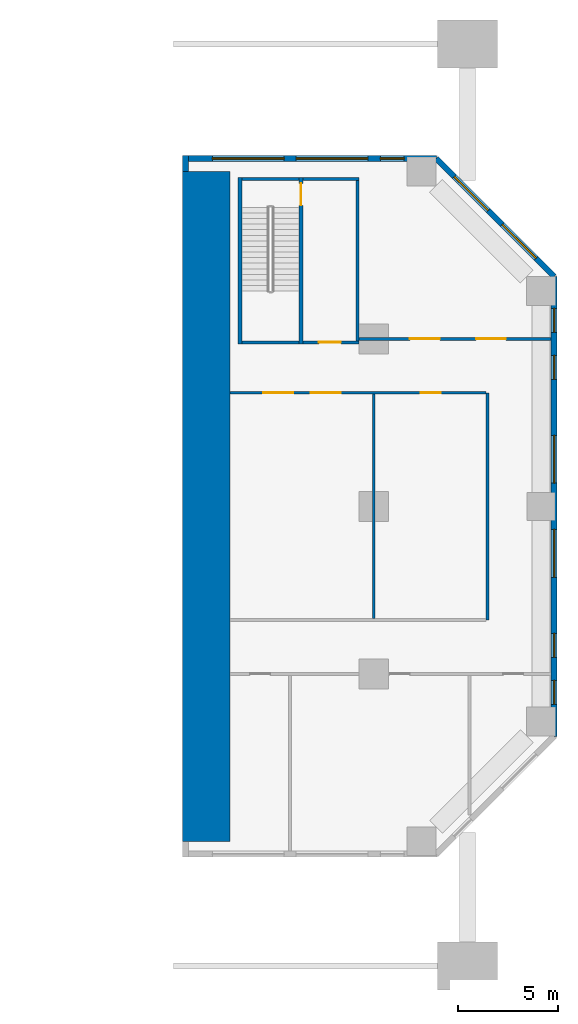
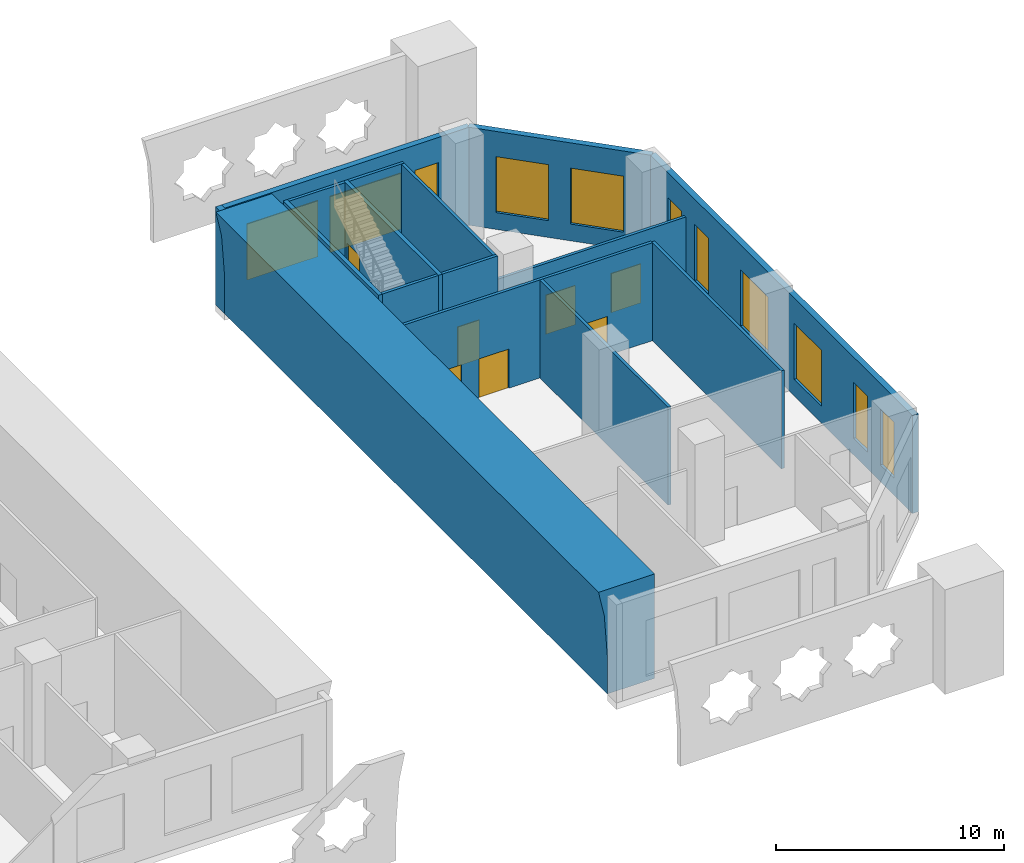
# One storey, part 10 of 17: 16 walls, 11 windows, 7 doors, 18 openings.
"""IFC4 building model written with IfcOpenShell, lengths in metres."""

from ifc_helpers import new_model, si_unit, direction, frame, frame_2d, origin, place, context, subcontext, project, spatial, polyline, rectangle, outline, extrude, material, layer, layer_set, type_object, element, fill, save


model = new_model("IFC4")

# Units and contexts
model_context = context("Model", 3, precision=1e-05, world=origin(), true_north=direction((0.0, 1.0)))
body_context = subcontext(model_context, "Body", "Model", "MODEL_VIEW")
ifc_project = project(units=[si_unit("LENGTHUNIT", "METRE"), si_unit("AREAUNIT", "SQUARE_METRE"), si_unit("VOLUMEUNIT", "CUBIC_METRE"), si_unit("PLANEANGLEUNIT", "RADIAN"), si_unit("MASSUNIT", "GRAM", prefix="KILO")], contexts=[model_context])

# Site, building, storey
site_placement = place(None, origin())
site = spatial("IfcSite", under=ifc_project, at=site_placement, CompositionType="ELEMENT")
building_placement = place(site_placement, origin())
building = spatial("IfcBuilding", under=site, at=building_placement, Name="Kawkab Arch Medical Tower", CompositionType="ELEMENT")
storey_placement = place(building_placement, frame((0.0, 0.0, 7.0)))
storey = spatial("IfcBuildingStorey", under=building, at=storey_placement, Name="L02", CompositionType="ELEMENT", Elevation=7.0)

# Walls
ifc_material_1 = material(Name="Concrete C60/75", Category="concrete")
wall_type_1 = type_object("IfcWallType", Name="Arch wall C60/75", PredefinedType="SHEAR", material=ifc_material_1)
wall_1_placement = place(storey_placement, frame((0.0, 0.0, -7.0), z_axis=(0.0, -1.0, 0.0), x_axis=(1.0, 0.0, 0.0)))
element("IfcWall", 1, at=wall_1_placement, inside=storey, type_object=wall_type_1, Name="Arch wall L02-2", PredefinedType="SHEAR", context=body_context, shape_type="SweptSolid", body=[
    extrude(outline(polyline([(74.39990234375, 7.0), (74.39990234375, 9.0), (74.240966796875, 11.256103515625), (73.952392578125, 12.60009765625), (76.800048828125, 12.60009765625), (76.800048828125, 7.0), (74.39990234375, 7.0)])), origin(), (0.0, 0.0, 1.0), 33.60009765625),
])
ifc_material_2 = material(Name="Gypsum board on steel studs", Category="steel")
ifc_layer_1 = layer(ifc_material_2, 0.14990234375)
ifc_layer_set_1 = layer_set([ifc_layer_1], Name="Gypsum board on steel studs")
wall_type_2 = type_object("IfcWallType", Name="Core room partition 150", PredefinedType="PARTITIONING", material=ifc_layer_set_1)
wall_2_placement = place(storey_placement, frame((80.449951171875, -0.375, 0.0), z_axis=(0.0, 0.0, 1.0), x_axis=(1.0, 0.0, 0.0)))
element("IfcWall", 2, at=wall_2_placement, inside=storey, type_object=wall_type_2, Name="L02 core room partition", PredefinedType="PARTITIONING", context=body_context, shape_type="SweptSolid", body=[
    extrude(rectangle(XDim=2.800048828125, YDim=0.14990234375, at=frame_2d((1.39990234375, 0.0))), origin(), (0.0, 0.0, 1.0), 5.25),
])
wall_3_placement = place(storey_placement, frame((83.175048828125, -8.5, 0.0), z_axis=(0.0, 0.0, 1.0), x_axis=(0.0, 1.0, 0.0)))
element("IfcWall", 3, at=wall_3_placement, inside=storey, type_object=wall_type_2, Name="L02 core room partition", PredefinedType="PARTITIONING", context=body_context, shape_type="SweptSolid", body=[
    extrude(rectangle(XDim=8.050048828125, YDim=0.14990234375, at=frame_2d((4.02490234375, 0.0))), origin(), (0.0, 0.0, 1.0), 5.25),
])

# Wall, openings, doors
ifc_material_3 = material(Name="Gypsum board partition on steel studs, mineral wool", Category="steel")
ifc_layer_2 = layer(ifc_material_3, 0.14990234375)
ifc_layer_set_2 = layer_set([ifc_layer_2], Name="Gypsum board partition on steel studs, mineral wool")
wall_type_3 = type_object("IfcWallType", Name="Partition 150", PredefinedType="PARTITIONING", material=ifc_layer_set_2)
wall_4_placement = place(storey_placement, frame((76.800048828125, -11.10009765625, 0.0), z_axis=(0.0, 0.0, 1.0), x_axis=(1.0, 0.0, 0.0)))
wall_4 = element("IfcWall", 4, at=wall_4_placement, inside=storey, type_object=wall_type_3, Name="Partition 150 w034", PredefinedType="PARTITIONING", context=body_context, shape_type="SweptSolid", body=[
    extrude(rectangle(XDim=12.824951171875, YDim=0.14990234375, at=frame_2d((6.41259765625, 0.0))), origin(), (0.0, 0.0, 1.0), 5.25),
])
opening_1_placement = place(wall_4_placement, frame((4.050048828125, 0.0, 0.0)))
opening_1 = element("IfcOpeningElement", 5, at=opening_1_placement, cuts=wall_4, Name="Opening P02-014", PredefinedType="OPENING", context=body_context, shape_type="SweptSolid", body=[
    extrude(rectangle(XDim=1.5, YDim=2.10009765625, at=frame_2d((0.75, 1.050048828125))), frame((0.0, 0.0849609375, 0.0), z_axis=(0.0, -1.0, 0.0), x_axis=(1.0, 0.0, 0.0)), (0.0, 0.0, 1.0), 0.169921875),
])
opening_2_placement = place(wall_4_placement, frame((1.64990234375, 0.0, 0.0)))
opening_2 = element("IfcOpeningElement", 6, at=opening_2_placement, cuts=wall_4, Name="Opening P02-015", PredefinedType="OPENING", context=body_context, shape_type="SweptSolid", body=[
    extrude(rectangle(XDim=1.5, YDim=2.10009765625, at=frame_2d((0.75, 1.050048828125))), frame((0.0, 0.0849609375, 0.0), z_axis=(0.0, -1.0, 0.0), x_axis=(1.0, 0.0, 0.0)), (0.0, 0.0, 1.0), 0.169921875),
])
opening_3_placement = place(wall_4_placement, frame((9.550048828125, 0.0, 0.0)))
opening_3 = element("IfcOpeningElement", 7, at=opening_3_placement, cuts=wall_4, Name="Opening P02-035", PredefinedType="OPENING", context=body_context, shape_type="SweptSolid", body=[
    extrude(rectangle(XDim=1.0, YDim=2.10009765625, at=frame_2d((0.5, 1.050048828125))), frame((0.0, 0.0849609375, 0.0), z_axis=(0.0, -1.0, 0.0), x_axis=(1.0, 0.0, 0.0)), (0.0, 0.0, 1.0), 0.169921875),
])
ifc_material_4 = material(Name="Hollow metal door leaf")
door_type_1 = type_object("IfcDoorType", Name="Double door 1500x2100 FD30S", OperationType="NOTDEFINED", PredefinedType="DOOR", material=ifc_material_4)
door_1_placement = place(opening_1_placement, origin())
door_1 = element("IfcDoor", 8, at=door_1_placement, inside=storey, type_object=door_type_1, Name="Door P02-014", OperationType="DOUBLE_DOOR_SINGLE_SWING", OverallHeight=2.10009765625, OverallWidth=1.5, PredefinedType="DOOR", context=body_context, shape_type="SweptSolid", body=[
    extrude(rectangle(XDim=1.5, YDim=2.10009765625, at=frame_2d((0.75, 1.050048828125))), frame((0.0, 0.02490234375, 0.0), z_axis=(0.0, -1.0, 0.0), x_axis=(1.0, 0.0, 0.0)), (0.0, 0.0, 1.0), 0.050048828125),
])
fill(opening_1, door_1)
door_2_placement = place(opening_2_placement, origin())
door_2 = element("IfcDoor", 9, at=door_2_placement, inside=storey, type_object=door_type_1, Name="Door P02-015", OperationType="DOUBLE_DOOR_SINGLE_SWING", OverallHeight=2.10009765625, OverallWidth=1.5, PredefinedType="DOOR", context=body_context, shape_type="SweptSolid", body=[
    extrude(rectangle(XDim=1.5, YDim=2.10009765625, at=frame_2d((0.75, 1.050048828125))), frame((0.0, 0.02490234375, 0.0), z_axis=(0.0, -1.0, 0.0), x_axis=(1.0, 0.0, 0.0)), (0.0, 0.0, 1.0), 0.050048828125),
])
fill(opening_2, door_2)
ifc_material_5 = material(Name="Hollow metal door leaf")
door_type_2 = type_object("IfcDoorType", Name="Single door 1000x2100 FD30S", OperationType="NOTDEFINED", PredefinedType="DOOR", material=ifc_material_5)
door_3_placement = place(opening_3_placement, origin())
door_3 = element("IfcDoor", 10, at=door_3_placement, inside=storey, type_object=door_type_2, Name="Door P02-035", OperationType="SINGLE_SWING_LEFT", OverallHeight=2.10009765625, OverallWidth=1.0, PredefinedType="DOOR", context=body_context, shape_type="SweptSolid", body=[
    extrude(rectangle(XDim=1.0, YDim=2.10009765625, at=frame_2d((0.5, 1.050048828125))), frame((0.0, 0.02490234375, 0.0), z_axis=(0.0, -1.0, 0.0), x_axis=(1.0, 0.0, 0.0)), (0.0, 0.0, 1.0), 0.050048828125),
])
fill(opening_3, door_3)

wall_5_placement = place(storey_placement, frame((83.25, -8.39990234375, 0.0), z_axis=(0.0, 0.0, 1.0), x_axis=(1.0, 0.0, 0.0)))
wall_5 = element("IfcWall", 11, at=wall_5_placement, inside=storey, type_object=wall_type_3, Name="Partition 150 w038", PredefinedType="PARTITIONING", context=body_context, shape_type="SweptSolid", body=[
    extrude(rectangle(XDim=9.6298828125, YDim=0.14990234375, at=frame_2d((4.81494140625, 0.0))), origin(), (0.0, 0.0, 1.0), 3.85009765625),
])
opening_4_placement = place(wall_5_placement, frame((2.56689453125, 0.0, 0.0)))
opening_4 = element("IfcOpeningElement", 12, at=opening_4_placement, cuts=wall_5, Name="Opening P02-006", PredefinedType="OPENING", context=body_context, shape_type="SweptSolid", body=[
    extrude(rectangle(XDim=1.5, YDim=2.10009765625, at=frame_2d((0.75, 1.050048828125))), frame((0.0, 0.0849609375, 0.0), z_axis=(0.0, -1.0, 0.0), x_axis=(1.0, 0.0, 0.0)), (0.0, 0.0, 1.0), 0.169921875),
])
opening_5_placement = place(wall_5_placement, frame((5.883056640625, 0.0, 0.0)))
opening_5 = element("IfcOpeningElement", 13, at=opening_5_placement, cuts=wall_5, Name="Opening P02-007", PredefinedType="OPENING", context=body_context, shape_type="SweptSolid", body=[
    extrude(rectangle(XDim=1.5, YDim=2.10009765625, at=frame_2d((0.75, 1.050048828125))), frame((0.0, 0.0849609375, 0.0), z_axis=(0.0, -1.0, 0.0), x_axis=(1.0, 0.0, 0.0)), (0.0, 0.0, 1.0), 0.169921875),
])
door_4_placement = place(opening_4_placement, origin())
door_4 = element("IfcDoor", 14, at=door_4_placement, inside=storey, type_object=door_type_1, Name="Door P02-006", OperationType="DOUBLE_DOOR_SINGLE_SWING", OverallHeight=2.10009765625, OverallWidth=1.5, PredefinedType="DOOR", context=body_context, shape_type="SweptSolid", body=[
    extrude(rectangle(XDim=1.5, YDim=2.10009765625, at=frame_2d((0.75, 1.050048828125))), frame((0.0, 0.02490234375, 0.0), z_axis=(0.0, -1.0, 0.0), x_axis=(1.0, 0.0, 0.0)), (0.0, 0.0, 1.0), 0.050048828125),
])
fill(opening_4, door_4)
door_5_placement = place(opening_5_placement, origin())
door_5 = element("IfcDoor", 15, at=door_5_placement, inside=storey, type_object=door_type_1, Name="Door P02-007", OperationType="DOUBLE_DOOR_SINGLE_SWING", OverallHeight=2.10009765625, OverallWidth=1.5, PredefinedType="DOOR", context=body_context, shape_type="SweptSolid", body=[
    extrude(rectangle(XDim=1.5, YDim=2.10009765625, at=frame_2d((0.75, 1.050048828125))), frame((0.0, 0.02490234375, 0.0), z_axis=(0.0, -1.0, 0.0), x_axis=(1.0, 0.0, 0.0)), (0.0, 0.0, 1.0), 0.050048828125),
])
fill(opening_5, door_5)

# Walls
wall_6_placement = place(storey_placement, frame((84.0, -22.425048828125, 0.0), z_axis=(0.0, 0.0, 1.0), x_axis=(0.0, 1.0, 0.0)))
element("IfcWall", 16, at=wall_6_placement, inside=storey, type_object=wall_type_3, Name="Partition 150 w071", PredefinedType="PARTITIONING", context=body_context, shape_type="SweptSolid", body=[
    extrude(rectangle(XDim=11.25, YDim=0.14990234375, at=frame_2d((5.625, 0.0))), origin(), (0.0, 0.0, 1.0), 5.25),
])
wall_7_placement = place(storey_placement, frame((89.699951171875, -22.5, 0.0), z_axis=(0.0, 0.0, 1.0), x_axis=(0.0, 1.0, 0.0)))
element("IfcWall", 17, at=wall_7_placement, inside=storey, type_object=wall_type_3, Name="Partition 150 w073", PredefinedType="PARTITIONING", context=body_context, shape_type="SweptSolid", body=[
    extrude(rectangle(XDim=11.39990234375, YDim=0.14990234375, at=frame_2d((5.699951171875, 0.0))), origin(), (0.0, 0.0, 1.0), 5.25),
])

# Wall, openings, windows
ifc_material_6 = material(Name="Bronze clad insulated wall panel")
ifc_layer_3 = layer(ifc_material_6, 0.300048828125)
ifc_layer_set_3 = layer_set([ifc_layer_3], Name="Bronze clad insulated wall panel")
wall_type_4 = type_object("IfcWallType", Name="Podium external wall 300", PredefinedType="SOLIDWALL", material=ifc_layer_set_3)
wall_8_placement = place(storey_placement, frame((93.050048828125, -28.337890625, 0.0), z_axis=(0.0, 0.0, 1.0), x_axis=(0.0, 1.0, 0.0)))
wall_8 = element("IfcWall", 18, at=wall_8_placement, inside=storey, type_object=wall_type_4, Name="Podium external wall L02 R11", PredefinedType="SOLIDWALL", context=body_context, shape_type="SweptSolid", body=[
    extrude(rectangle(XDim=23.07568359375, YDim=0.300048828125, at=frame_2d((11.537841796875, 0.0))), origin(), (0.0, 0.0, 1.0), 5.25),
])
opening_6_placement = place(wall_8_placement, frame((1.6103515625, 0.0, 0.89990234375)))
opening_6 = element("IfcOpeningElement", 19, at=opening_6_placement, cuts=wall_8, Name="Opening PBW120-30-S9", PredefinedType="OPENING", context=body_context, shape_type="SweptSolid", body=[
    extrude(rectangle(XDim=1.199951171875, YDim=3.0, at=frame_2d((0.60009765625, 1.5))), frame((0.0, 0.159912109375, 0.0), z_axis=(0.0, -1.0, 0.0), x_axis=(1.0, 0.0, 0.0)), (0.0, 0.0, 1.0), 0.320068359375),
])
opening_7_placement = place(wall_8_placement, frame((3.962890625, 0.0, 0.89990234375)))
opening_7 = element("IfcOpeningElement", 20, at=opening_7_placement, cuts=wall_8, Name="Opening PBW120-30-S9", PredefinedType="OPENING", context=body_context, shape_type="SweptSolid", body=[
    extrude(rectangle(XDim=1.199951171875, YDim=3.0, at=frame_2d((0.60009765625, 1.5))), frame((0.0, 0.159912109375, 0.0), z_axis=(0.0, -1.0, 0.0), x_axis=(1.0, 0.0, 0.0)), (0.0, 0.0, 1.0), 0.320068359375),
])
opening_8_placement = place(wall_8_placement, frame((7.977783203125, 0.0, 0.89990234375)))
opening_8 = element("IfcOpeningElement", 21, at=opening_8_placement, cuts=wall_8, Name="Opening PBW240-30-S9", PredefinedType="OPENING", context=body_context, shape_type="SweptSolid", body=[
    extrude(rectangle(XDim=2.39990234375, YDim=3.0, at=frame_2d((1.199951171875, 1.5))), frame((0.0, 0.159912109375, 0.0), z_axis=(0.0, -1.0, 0.0), x_axis=(1.0, 0.0, 0.0)), (0.0, 0.0, 1.0), 0.320068359375),
])
opening_9_placement = place(wall_8_placement, frame((12.697998046875, 0.0, 0.89990234375)))
opening_9 = element("IfcOpeningElement", 22, at=opening_9_placement, cuts=wall_8, Name="Opening PBW240-30-S9", PredefinedType="OPENING", context=body_context, shape_type="SweptSolid", body=[
    extrude(rectangle(XDim=2.39990234375, YDim=3.0, at=frame_2d((1.199951171875, 1.5))), frame((0.0, 0.159912109375, 0.0), z_axis=(0.0, -1.0, 0.0), x_axis=(1.0, 0.0, 0.0)), (0.0, 0.0, 1.0), 0.320068359375),
])
opening_10_placement = place(wall_8_placement, frame((17.912841796875, 0.0, 0.89990234375)))
opening_10 = element("IfcOpeningElement", 23, at=opening_10_placement, cuts=wall_8, Name="Opening PBW120-30-S9", PredefinedType="OPENING", context=body_context, shape_type="SweptSolid", body=[
    extrude(rectangle(XDim=1.199951171875, YDim=3.0, at=frame_2d((0.60009765625, 1.5))), frame((0.0, 0.159912109375, 0.0), z_axis=(0.0, -1.0, 0.0), x_axis=(1.0, 0.0, 0.0)), (0.0, 0.0, 1.0), 0.320068359375),
])
opening_11_placement = place(wall_8_placement, frame((20.265380859375, 0.0, 0.89990234375)))
opening_11 = element("IfcOpeningElement", 24, at=opening_11_placement, cuts=wall_8, Name="Opening PBW120-30-S9", PredefinedType="OPENING", context=body_context, shape_type="SweptSolid", body=[
    extrude(rectangle(XDim=1.199951171875, YDim=3.0, at=frame_2d((0.60009765625, 1.5))), frame((0.0, 0.159912109375, 0.0), z_axis=(0.0, -1.0, 0.0), x_axis=(1.0, 0.0, 0.0)), (0.0, 0.0, 1.0), 0.320068359375),
])
ifc_material_7 = material(Name="Bronze anodised aluminium louvred window", Category="aluminium")
window_type_1 = type_object("IfcWindowType", Name="Podium band window 1200 x 3000 sill 900", PartitioningType="DOUBLE_PANEL_VERTICAL", PredefinedType="WINDOW", material=ifc_material_7)
window_1_placement = place(opening_6_placement, origin())
window_1 = element("IfcWindow", 25, at=window_1_placement, inside=storey, type_object=window_type_1, Name="Band window L02 R11.1", OverallHeight=3.0, OverallWidth=1.199951171875, PartitioningType="SINGLE_PANEL", PredefinedType="WINDOW", context=body_context, shape_type="SweptSolid", body=[
    extrude(rectangle(XDim=1.199951171875, YDim=3.0, at=frame_2d((0.60009765625, 1.5))), frame((0.0, 0.030029296875, 0.0), z_axis=(0.0, -1.0, 0.0), x_axis=(1.0, 0.0, 0.0)), (0.0, 0.0, 1.0), 0.06005859375),
])
fill(opening_6, window_1)
window_2_placement = place(opening_7_placement, origin())
window_2 = element("IfcWindow", 26, at=window_2_placement, inside=storey, type_object=window_type_1, Name="Band window L02 R11.2", OverallHeight=3.0, OverallWidth=1.199951171875, PartitioningType="SINGLE_PANEL", PredefinedType="WINDOW", context=body_context, shape_type="SweptSolid", body=[
    extrude(rectangle(XDim=1.199951171875, YDim=3.0, at=frame_2d((0.60009765625, 1.5))), frame((0.0, 0.030029296875, 0.0), z_axis=(0.0, -1.0, 0.0), x_axis=(1.0, 0.0, 0.0)), (0.0, 0.0, 1.0), 0.06005859375),
])
fill(opening_7, window_2)
window_3_placement = place(opening_10_placement, origin())
window_3 = element("IfcWindow", 27, at=window_3_placement, inside=storey, type_object=window_type_1, Name="Band window L02 R11.5", OverallHeight=3.0, OverallWidth=1.199951171875, PartitioningType="SINGLE_PANEL", PredefinedType="WINDOW", context=body_context, shape_type="SweptSolid", body=[
    extrude(rectangle(XDim=1.199951171875, YDim=3.0, at=frame_2d((0.60009765625, 1.5))), frame((0.0, 0.030029296875, 0.0), z_axis=(0.0, -1.0, 0.0), x_axis=(1.0, 0.0, 0.0)), (0.0, 0.0, 1.0), 0.06005859375),
])
fill(opening_10, window_3)
window_4_placement = place(opening_11_placement, origin())
window_4 = element("IfcWindow", 28, at=window_4_placement, inside=storey, type_object=window_type_1, Name="Band window L02 R11.6", OverallHeight=3.0, OverallWidth=1.199951171875, PartitioningType="SINGLE_PANEL", PredefinedType="WINDOW", context=body_context, shape_type="SweptSolid", body=[
    extrude(rectangle(XDim=1.199951171875, YDim=3.0, at=frame_2d((0.60009765625, 1.5))), frame((0.0, 0.030029296875, 0.0), z_axis=(0.0, -1.0, 0.0), x_axis=(1.0, 0.0, 0.0)), (0.0, 0.0, 1.0), 0.06005859375),
])
fill(opening_11, window_4)
ifc_material_8 = material(Name="Bronze anodised aluminium louvred window", Category="aluminium")
window_type_2 = type_object("IfcWindowType", Name="Podium band window 2400 x 3000 sill 900", PartitioningType="DOUBLE_PANEL_VERTICAL", PredefinedType="WINDOW", material=ifc_material_8)
window_5_placement = place(opening_8_placement, origin())
window_5 = element("IfcWindow", 29, at=window_5_placement, inside=storey, type_object=window_type_2, Name="Band window L02 R11.3", OverallHeight=3.0, OverallWidth=2.39990234375, PartitioningType="SINGLE_PANEL", PredefinedType="WINDOW", context=body_context, shape_type="SweptSolid", body=[
    extrude(rectangle(XDim=2.39990234375, YDim=3.0, at=frame_2d((1.199951171875, 1.5))), frame((0.0, 0.030029296875, 0.0), z_axis=(0.0, -1.0, 0.0), x_axis=(1.0, 0.0, 0.0)), (0.0, 0.0, 1.0), 0.06005859375),
])
fill(opening_8, window_5)
window_6_placement = place(opening_9_placement, origin())
window_6 = element("IfcWindow", 30, at=window_6_placement, inside=storey, type_object=window_type_2, Name="Band window L02 R11.4", OverallHeight=3.0, OverallWidth=2.39990234375, PartitioningType="SINGLE_PANEL", PredefinedType="WINDOW", context=body_context, shape_type="SweptSolid", body=[
    extrude(rectangle(XDim=2.39990234375, YDim=3.0, at=frame_2d((1.199951171875, 1.5))), frame((0.0, 0.030029296875, 0.0), z_axis=(0.0, -1.0, 0.0), x_axis=(1.0, 0.0, 0.0)), (0.0, 0.0, 1.0), 0.06005859375),
])
fill(opening_9, window_6)

wall_9_placement = place(storey_placement, frame((93.050048828125, -5.26220703125, 0.0), z_axis=(0.0, 0.0, 1.0), x_axis=(-0.707106781187, 0.707106781187, 0.0)))
wall_9 = element("IfcWall", 31, at=wall_9_placement, inside=storey, type_object=wall_type_4, Name="Podium external wall L02 R12", PredefinedType="SOLIDWALL", context=body_context, shape_type="SweptSolid", body=[
    extrude(rectangle(XDim=8.361083984375, YDim=0.300048828125, at=frame_2d((4.1806640625, 0.0))), origin(), (0.0, 0.0, 1.0), 5.25),
])
opening_12_placement = place(wall_9_placement, frame((1.28173828125, 0.0, 0.89990234375)))
opening_12 = element("IfcOpeningElement", 32, at=opening_12_placement, cuts=wall_9, Name="Opening PBW240-30-S9", PredefinedType="OPENING", context=body_context, shape_type="SweptSolid", body=[
    extrude(rectangle(XDim=2.39990234375, YDim=3.0, at=frame_2d((1.199951171875, 1.5))), frame((0.0, 0.159912109375, 0.0), z_axis=(0.0, -1.0, 0.0), x_axis=(1.0, 0.0, 0.0)), (0.0, 0.0, 1.0), 0.320068359375),
])
opening_13_placement = place(wall_9_placement, frame((4.67919921875, 0.0, 0.89990234375)))
opening_13 = element("IfcOpeningElement", 33, at=opening_13_placement, cuts=wall_9, Name="Opening PBW240-30-S9", PredefinedType="OPENING", context=body_context, shape_type="SweptSolid", body=[
    extrude(rectangle(XDim=2.39990234375, YDim=3.0, at=frame_2d((1.199951171875, 1.5))), frame((0.0, 0.159912109375, 0.0), z_axis=(0.0, -1.0, 0.0), x_axis=(1.0, 0.0, 0.0)), (0.0, 0.0, 1.0), 0.320068359375),
])
window_7_placement = place(opening_12_placement, origin())
window_7 = element("IfcWindow", 34, at=window_7_placement, inside=storey, type_object=window_type_2, Name="Band window L02 R12.1", OverallHeight=3.0, OverallWidth=2.39990234375, PartitioningType="SINGLE_PANEL", PredefinedType="WINDOW", context=body_context, shape_type="SweptSolid", body=[
    extrude(rectangle(XDim=2.39990234375, YDim=3.0, at=frame_2d((1.199951171875, 1.5))), frame((0.0, 0.030029296875, 0.0), z_axis=(0.0, -1.0, 0.0), x_axis=(1.0, 0.0, 0.0)), (0.0, 0.0, 1.0), 0.06005859375),
])
fill(opening_12, window_7)
window_8_placement = place(opening_13_placement, origin())
window_8 = element("IfcWindow", 35, at=window_8_placement, inside=storey, type_object=window_type_2, Name="Band window L02 R12.2", OverallHeight=3.0, OverallWidth=2.39990234375, PartitioningType="SINGLE_PANEL", PredefinedType="WINDOW", context=body_context, shape_type="SweptSolid", body=[
    extrude(rectangle(XDim=2.39990234375, YDim=3.0, at=frame_2d((1.199951171875, 1.5))), frame((0.0, 0.030029296875, 0.0), z_axis=(0.0, -1.0, 0.0), x_axis=(1.0, 0.0, 0.0)), (0.0, 0.0, 1.0), 0.06005859375),
])
fill(opening_13, window_8)

wall_10_placement = place(storey_placement, frame((87.137939453125, 0.64990234375, 0.0), z_axis=(0.0, 0.0, 1.0), x_axis=(-1.0, 0.0, 0.0)))
wall_10 = element("IfcWall", 36, at=wall_10_placement, inside=storey, type_object=wall_type_4, Name="Podium external wall L02 R13", PredefinedType="SOLIDWALL", context=body_context, shape_type="SweptSolid", body=[
    extrude(rectangle(XDim=12.587890625, YDim=0.300048828125, at=frame_2d((6.2939453125, 0.0))), origin(), (0.0, 0.0, 1.0), 5.25),
])
opening_14_placement = place(wall_10_placement, frame((1.6103515625, 0.0, 0.89990234375)))
opening_14 = element("IfcOpeningElement", 37, at=opening_14_placement, cuts=wall_10, Name="Opening PBW120-30-S9", PredefinedType="OPENING", context=body_context, shape_type="SweptSolid", body=[
    extrude(rectangle(XDim=1.199951171875, YDim=3.0, at=frame_2d((0.60009765625, 1.5))), frame((0.0, 0.159912109375, 0.0), z_axis=(0.0, -1.0, 0.0), x_axis=(1.0, 0.0, 0.0)), (0.0, 0.0, 1.0), 0.320068359375),
])
opening_15_placement = place(wall_10_placement, frame((3.43798828125, 0.0, 0.89990234375)))
opening_15 = element("IfcOpeningElement", 38, at=opening_15_placement, cuts=wall_10, Name="Opening PBW360-30-S9", PredefinedType="OPENING", context=body_context, shape_type="SweptSolid", body=[
    extrude(rectangle(XDim=3.60009765625, YDim=3.0, at=frame_2d((1.800048828125, 1.5))), frame((0.0, 0.159912109375, 0.0), z_axis=(0.0, -1.0, 0.0), x_axis=(1.0, 0.0, 0.0)), (0.0, 0.0, 1.0), 0.320068359375),
])
opening_16_placement = place(wall_10_placement, frame((7.637939453125, 0.0, 0.89990234375)))
opening_16 = element("IfcOpeningElement", 39, at=opening_16_placement, cuts=wall_10, Name="Opening PBW360-30-S9", PredefinedType="OPENING", context=body_context, shape_type="SweptSolid", body=[
    extrude(rectangle(XDim=3.60009765625, YDim=3.0, at=frame_2d((1.800048828125, 1.5))), frame((0.0, 0.159912109375, 0.0), z_axis=(0.0, -1.0, 0.0), x_axis=(1.0, 0.0, 0.0)), (0.0, 0.0, 1.0), 0.320068359375),
])
window_9_placement = place(opening_14_placement, origin())
window_9 = element("IfcWindow", 40, at=window_9_placement, inside=storey, type_object=window_type_1, Name="Band window L02 R13.1", OverallHeight=3.0, OverallWidth=1.199951171875, PartitioningType="SINGLE_PANEL", PredefinedType="WINDOW", context=body_context, shape_type="SweptSolid", body=[
    extrude(rectangle(XDim=1.199951171875, YDim=3.0, at=frame_2d((0.60009765625, 1.5))), frame((0.0, 0.030029296875, 0.0), z_axis=(0.0, -1.0, 0.0), x_axis=(1.0, 0.0, 0.0)), (0.0, 0.0, 1.0), 0.06005859375),
])
fill(opening_14, window_9)
ifc_material_9 = material(Name="Bronze anodised aluminium louvred window", Category="aluminium")
window_type_3 = type_object("IfcWindowType", Name="Podium band window 3600 x 3000 sill 900", PartitioningType="DOUBLE_PANEL_VERTICAL", PredefinedType="WINDOW", material=ifc_material_9)
window_10_placement = place(opening_15_placement, origin())
window_10 = element("IfcWindow", 41, at=window_10_placement, inside=storey, type_object=window_type_3, Name="Band window L02 R13.2", OverallHeight=3.0, OverallWidth=3.60009765625, PartitioningType="SINGLE_PANEL", PredefinedType="WINDOW", context=body_context, shape_type="SweptSolid", body=[
    extrude(rectangle(XDim=3.60009765625, YDim=3.0, at=frame_2d((1.800048828125, 1.5))), frame((0.0, 0.030029296875, 0.0), z_axis=(0.0, -1.0, 0.0), x_axis=(1.0, 0.0, 0.0)), (0.0, 0.0, 1.0), 0.06005859375),
])
fill(opening_15, window_10)
window_11_placement = place(opening_16_placement, origin())
window_11 = element("IfcWindow", 42, at=window_11_placement, inside=storey, type_object=window_type_3, Name="Band window L02 R13.3", OverallHeight=3.0, OverallWidth=3.60009765625, PartitioningType="SINGLE_PANEL", PredefinedType="WINDOW", context=body_context, shape_type="SweptSolid", body=[
    extrude(rectangle(XDim=3.60009765625, YDim=3.0, at=frame_2d((1.800048828125, 1.5))), frame((0.0, 0.030029296875, 0.0), z_axis=(0.0, -1.0, 0.0), x_axis=(1.0, 0.0, 0.0)), (0.0, 0.0, 1.0), 0.06005859375),
])
fill(opening_16, window_11)

# Walls
wall_11_placement = place(storey_placement, frame((74.550048828125, 0.800048828125, 0.0), z_axis=(0.0, 0.0, 1.0), x_axis=(0.0, -1.0, 0.0)))
element("IfcWall", 43, at=wall_11_placement, inside=storey, type_object=wall_type_4, Name="Podium slot-side wall L02 R14.2", PredefinedType="SOLIDWALL", context=body_context, shape_type="SweptSolid", body=[
    extrude(rectangle(XDim=0.800048828125, YDim=0.300048828125, at=frame_2d((0.39990234375, 0.0))), origin(), (0.0, 0.0, 1.0), 5.25),
])
ifc_material_10 = material(Name="Concrete C50/60", Category="concrete")
ifc_layer_4 = layer(ifc_material_10, 0.14990234375)
ifc_layer_set_4 = layer_set([ifc_layer_4], Name="Concrete C50/60")
wall_type_5 = type_object("IfcWallType", Name="Stair enclosure wall 150 C50/60", PredefinedType="SHEAR", material=ifc_layer_set_4)
for number, where, z_axis, x_axis, name in (
    (44, (77.39990234375, -0.375, 0.0), (0.0, 0.0, 1.0), (1.0, 0.0, 0.0), "L02 stair enclosure wall"),
    (45, (77.39990234375, -8.574951171875, 0.0), (0.0, 0.0, 1.0), (1.0, 0.0, 0.0), "L02 stair enclosure wall"),
):
    element("IfcWall", number, at=place(storey_placement, frame(where, z_axis=z_axis, x_axis=x_axis)), inside=storey, type_object=wall_type_5, Name=name, PredefinedType="SHEAR", context=body_context, shape_type="SweptSolid", body=[
        extrude(rectangle(XDim=2.85009765625, YDim=0.14990234375, at=frame_2d((1.425048828125, 0.0))), origin(), (0.0, 0.0, 1.0), 5.25),
    ])

# Wall, opening, door
wall_12_placement = place(storey_placement, frame((80.449951171875, -8.574951171875, 0.0), z_axis=(0.0, 0.0, 1.0), x_axis=(1.0, 0.0, 0.0)))
wall_12 = element("IfcWall", 46, at=wall_12_placement, inside=storey, type_object=wall_type_5, Name="L02 stair enclosure wall", PredefinedType="SHEAR", context=body_context, shape_type="SweptSolid", body=[
    extrude(rectangle(XDim=2.800048828125, YDim=0.14990234375, at=frame_2d((1.39990234375, 0.0))), origin(), (0.0, 0.0, 1.0), 5.25),
])
opening_17_placement = place(wall_12_placement, frame((0.800048828125, 0.0, 0.0)))
opening_17 = element("IfcOpeningElement", 47, at=opening_17_placement, cuts=wall_12, Name="Opening SD", PredefinedType="OPENING", context=body_context, shape_type="SweptSolid", body=[
    extrude(rectangle(XDim=1.10009765625, YDim=2.10009765625, at=frame_2d((0.550048828125, 1.050048828125))), frame((0.0, 0.0849609375, 0.0), z_axis=(0.0, -1.0, 0.0), x_axis=(1.0, 0.0, 0.0)), (0.0, 0.0, 1.0), 0.169921875),
])
ifc_material_11 = material(Name="Hollow metal fire door leaf")
door_type_3 = type_object("IfcDoorType", Name="Exit stair door 1100", OperationType="SINGLE_SWING_LEFT", PredefinedType="DOOR", material=ifc_material_11)
door_6_placement = place(opening_17_placement, origin())
door_6 = element("IfcDoor", 48, at=door_6_placement, inside=storey, type_object=door_type_3, Name="L02 Exit stair ST7 lobby door", OperationType="SINGLE_SWING_LEFT", OverallHeight=2.10009765625, OverallWidth=1.10009765625, PredefinedType="DOOR", context=body_context, shape_type="SweptSolid", body=[
    extrude(rectangle(XDim=1.10009765625, YDim=2.10009765625, at=frame_2d((0.550048828125, 1.050048828125))), frame((0.0, 0.02490234375, 0.0), z_axis=(0.0, -1.0, 0.0), x_axis=(1.0, 0.0, 0.0)), (0.0, 0.0, 1.0), 0.050048828125),
])
fill(opening_17, door_6)

# Wall
ifc_material_12 = material(Name="Concrete C50/60", Category="concrete")
ifc_layer_5 = layer(ifc_material_12, 0.199951171875)
ifc_layer_set_5 = layer_set([ifc_layer_5], Name="Concrete C50/60")
wall_type_6 = type_object("IfcWallType", Name="Stair enclosure wall 200 C50/60", PredefinedType="SHEAR", material=ifc_layer_set_5)
wall_13_placement = place(storey_placement, frame((77.300048828125, -8.64990234375, 0.0), z_axis=(0.0, 0.0, 1.0), x_axis=(0.0, 1.0, 0.0)))
element("IfcWall", 49, at=wall_13_placement, inside=storey, type_object=wall_type_6, Name="L02 stair enclosure wall", PredefinedType="SHEAR", context=body_context, shape_type="SweptSolid", body=[
    extrude(rectangle(XDim=8.349853515625, YDim=0.199951171875, at=frame_2d((4.1748046875, 0.0))), origin(), (0.0, 0.0, 1.0), 5.25),
])

# Wall, opening, door
wall_14_placement = place(storey_placement, frame((80.35009765625, -8.64990234375, 0.0), z_axis=(0.0, 0.0, 1.0), x_axis=(0.0, 1.0, 0.0)))
wall_14 = element("IfcWall", 50, at=wall_14_placement, inside=storey, type_object=wall_type_6, Name="L02 stair enclosure wall", PredefinedType="SHEAR", context=body_context, shape_type="SweptSolid", body=[
    extrude(rectangle(XDim=8.349853515625, YDim=0.199951171875, at=frame_2d((4.1748046875, 0.0))), origin(), (0.0, 0.0, 1.0), 5.25),
])
opening_18_placement = place(wall_14_placement, frame((6.949951171875, 0.0, 0.0)))
opening_18 = element("IfcOpeningElement", 51, at=opening_18_placement, cuts=wall_14, Name="Opening SD", PredefinedType="OPENING", context=body_context, shape_type="SweptSolid", body=[
    extrude(rectangle(XDim=1.10009765625, YDim=2.10009765625, at=frame_2d((0.550048828125, 1.050048828125))), frame((0.0, 0.10986328125, 0.0), z_axis=(0.0, -1.0, 0.0), x_axis=(1.0, 0.0, 0.0)), (0.0, 0.0, 1.0), 0.219970703125),
])
door_7_placement = place(opening_18_placement, origin())
door_7 = element("IfcDoor", 52, at=door_7_placement, inside=storey, type_object=door_type_3, Name="L02 Exit stair ST7 door", OperationType="SINGLE_SWING_LEFT", OverallHeight=2.10009765625, OverallWidth=1.10009765625, PredefinedType="DOOR", context=body_context, shape_type="SweptSolid", body=[
    extrude(rectangle(XDim=1.10009765625, YDim=2.10009765625, at=frame_2d((0.550048828125, 1.050048828125))), frame((0.0, 0.02490234375, 0.0), z_axis=(0.0, -1.0, 0.0), x_axis=(1.0, 0.0, 0.0)), (0.0, 0.0, 1.0), 0.050048828125),
])
fill(opening_18, door_7)

save(model, "model.ifc")
